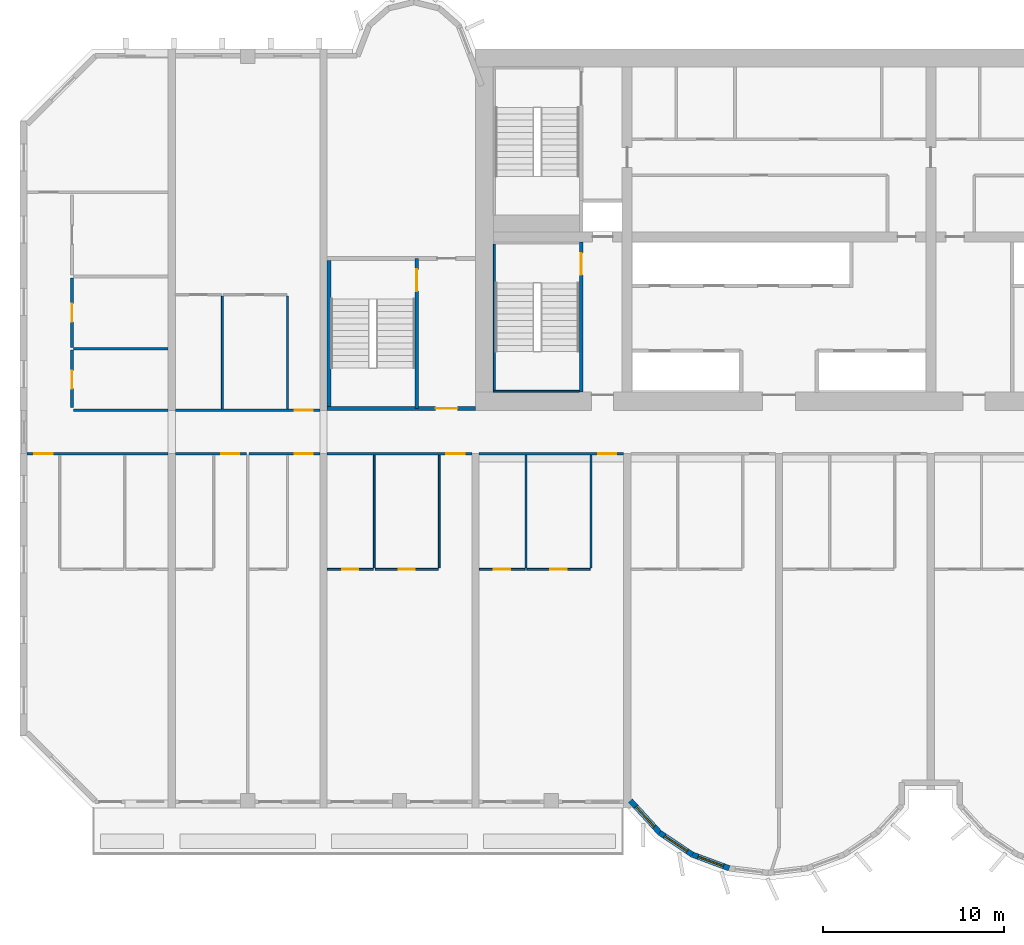
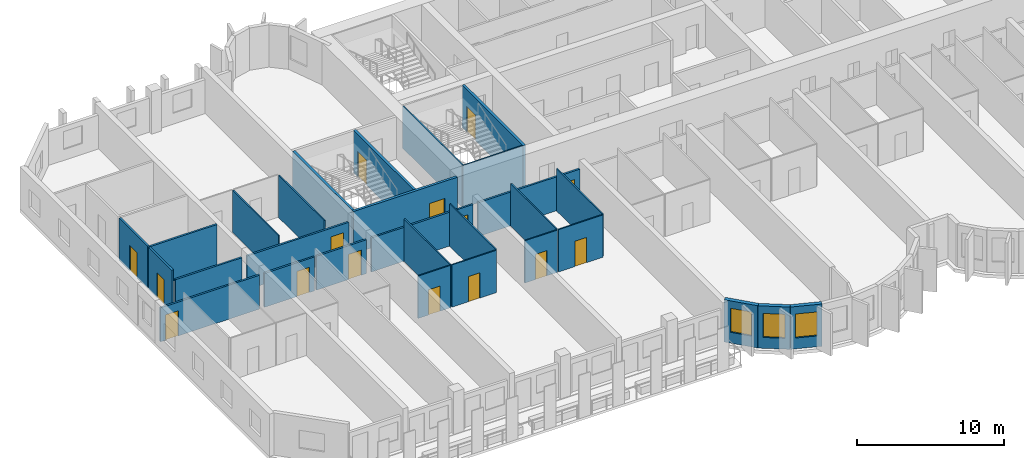
# One storey, part 3 of 15: 29 walls, 15 doors, 3 windows, 18 openings.
"""IFC4 building model written with IfcOpenShell, lengths in metres."""

import ifcopenshell
import ifcopenshell.guid

model = None  # the IFC model being written
_history = None  # IfcOwnerHistory: only IFC2X3 demands one
_inside = {}  # id of a spatial element -> (the spatial element, [elements in it])
_under = {}  # id of a project, library or spatial element -> (it, [spatial elements below it])
_declared = {}  # id of a project -> (the project, [libraries it declares])
_typed = {}  # id of a type object -> (the type object, [elements of that type])
_made_of = {}  # id of a material, layer set ... -> (it, [elements and type objects made of it])


def new_model(schema):
    """Start an empty IFC model of exactly this schema.

    Asked for "IFC4X3", IfcOpenShell would pick the latest addendum, in which some entities
    have other attributes; the version numbers below select the first issue.
    IFC2X3 requires an IfcOwnerHistory on every rooted entity: one is made here for all.
    """
    global model, _history
    if schema == "IFC4X3":
        model = ifcopenshell.file(schema_version=(4, 3, 0, 0))
    else:
        model = ifcopenshell.file(schema=schema)
    _inside.clear()
    _under.clear()
    _declared.clear()
    _typed.clear()
    _made_of.clear()
    _history = None
    if model.schema == "IFC2X3":
        org = make("IfcOrganization", Name="unknown")
        user = make(
            "IfcPersonAndOrganization",
            ThePerson=make("IfcPerson", FamilyName="unknown"),
            TheOrganization=org,
        )
        app = make(
            "IfcApplication",
            ApplicationDeveloper=org,
            Version="unknown",
            ApplicationFullName="unknown",
            ApplicationIdentifier="unknown",
        )
        _history = make(
            "IfcOwnerHistory",
            OwningUser=user,
            OwningApplication=app,
            ChangeAction="ADDED",
            CreationDate=0,
        )
    return model


def make(cls, **values):
    """One entity of the class cls with the attributes given. An attribute that is None is left unset."""
    return model.create_entity(
        cls, **{name: value for name, value in values.items() if value is not None}
    )


def rooted(cls, **values):
    """An entity with a GlobalId (a new one), such as an element, a storey or a relation."""
    return make(cls, GlobalId=ifcopenshell.guid.new(), OwnerHistory=_history, **values)


def si_unit(unit_type, name, prefix=None):
    """IfcSIUnit, for example si_unit("LENGTHUNIT", "METRE", prefix="MILLI")."""
    return make("IfcSIUnit", UnitType=unit_type, Prefix=prefix, Name=name)


def assignment(units):
    """IfcUnitAssignment: the units of a project."""
    return None if units is None else make("IfcUnitAssignment", Units=units)


def point(xyz):
    """IfcCartesianPoint."""
    return None if xyz is None else make("IfcCartesianPoint", Coordinates=xyz)


def direction(xyz):
    """IfcDirection."""
    return None if xyz is None else make("IfcDirection", DirectionRatios=xyz)


def frame(location, z_axis=None, x_axis=None):
    """IfcAxis2Placement3D, a coordinate frame: its origin and axes. An axis left out is left unset."""
    return make(
        "IfcAxis2Placement3D",
        Location=point(location),
        Axis=direction(z_axis),
        RefDirection=direction(x_axis),
    )


def frame_2d(location, x_axis=None):
    """IfcAxis2Placement2D, a coordinate frame in the plane: its origin and x axis."""
    return make(
        "IfcAxis2Placement2D", Location=point(location), RefDirection=direction(x_axis)
    )


def origin():
    """The frame at (0, 0, 0) with its axes left unset."""
    return frame((0.0, 0.0, 0.0))


def place(relative_to, where):
    """IfcLocalPlacement: puts the frame where relative to a parent placement (None: the world)."""
    return make(
        "IfcLocalPlacement", PlacementRelTo=relative_to, RelativePlacement=where
    )


def context(
    kind, dimensions, precision=None, world=None, true_north=None, identifier=None
):
    """IfcGeometricRepresentationContext, for example the 3D "Model" context."""
    return make(
        "IfcGeometricRepresentationContext",
        ContextIdentifier=identifier,
        ContextType=kind,
        CoordinateSpaceDimension=dimensions,
        Precision=precision,
        WorldCoordinateSystem=world,
        TrueNorth=true_north,
    )


def subcontext(parent, identifier, kind, view, scale=None):
    """IfcGeometricRepresentationSubContext, for example "Body" below "Model"."""
    return make(
        "IfcGeometricRepresentationSubContext",
        ContextIdentifier=identifier,
        ContextType=kind,
        ParentContext=parent,
        TargetScale=scale,
        TargetView=view,
    )


def project(units=None, contexts=None):
    """IfcProject with its units and contexts."""
    return rooted(
        "IfcProject",
        Name="project",
        RepresentationContexts=contexts,
        UnitsInContext=assignment(units),
    )


def spatial(cls, under=None, at=None, **own):
    """A site, building, storey or space (cls), placed at a placement, below another one or the project."""
    s = rooted(cls, ObjectPlacement=at, **own)
    if under is not None:
        _under.setdefault(under.id(), (under, []))[1].append(s)
    return s


def profile(cls, at=None, kind="AREA", **sizes):
    """A parametric profile (cls). Its sizes go by their IFC names, for example OverallWidth=200.0."""
    return make(cls, ProfileType=kind, Position=at, **sizes)


def rectangle(**sizes):
    """IfcRectangleProfileDef."""
    return profile("IfcRectangleProfileDef", **sizes)


def extrude(swept, where, along, depth):
    """IfcExtrudedAreaSolid: the profile swept, set in the frame where, extruded along a direction by depth."""
    return make(
        "IfcExtrudedAreaSolid",
        SweptArea=swept,
        Position=where,
        ExtrudedDirection=direction(along),
        Depth=depth,
    )


def shape(context_of_items, identifier, shape_type, items):
    """IfcShapeRepresentation: the items that make up one representation, for example the "Body"."""
    return make(
        "IfcShapeRepresentation",
        ContextOfItems=context_of_items,
        RepresentationIdentifier=identifier,
        RepresentationType=shape_type,
        Items=items,
    )


def source(mapping_origin, context_of_items, identifier, shape_type, items):
    """IfcRepresentationMap: a shape defined once, which mapped items show again and again."""
    return make(
        "IfcRepresentationMap",
        MappingOrigin=mapping_origin,
        MappedRepresentation=shape(context_of_items, identifier, shape_type, items),
    )


def transform(
    local_origin,
    x_axis=None,
    y_axis=None,
    z_axis=None,
    scale=None,
    scale2=None,
    scale3=None,
    uniform=True,
):
    """IfcCartesianTransformationOperator3D, or its non-uniform kind. x_axis, y_axis, z_axis: its Axis1, 2, 3."""
    if uniform:
        return make(
            "IfcCartesianTransformationOperator3D",
            Axis1=direction(x_axis),
            Axis2=direction(y_axis),
            LocalOrigin=point(local_origin),
            Scale=scale,
            Axis3=direction(z_axis),
        )
    return make(
        "IfcCartesianTransformationOperator3DnonUniform",
        Axis1=direction(x_axis),
        Axis2=direction(y_axis),
        LocalOrigin=point(local_origin),
        Scale=scale,
        Axis3=direction(z_axis),
        Scale2=scale2,
        Scale3=scale3,
    )


def mapped(mapping_source, mapping_target):
    """IfcMappedItem: shows the shape of a source again, moved by a transform."""
    return make(
        "IfcMappedItem", MappingSource=mapping_source, MappingTarget=mapping_target
    )


def material(Name=None, Category=None):
    """IfcMaterial."""
    return make("IfcMaterial", Name=Name, Category=Category)


def layer(
    of_material, thickness, ventilated=None, Name=None, Category=None, Priority=None
):
    """IfcMaterialLayer: one layer of a wall or slab, of a material (None: an air gap)."""
    return make(
        "IfcMaterialLayer",
        Material=of_material,
        LayerThickness=thickness,
        IsVentilated=ventilated,
        Name=Name,
        Category=Category,
        Priority=Priority,
    )


def layer_set(layers, Name=None):
    """IfcMaterialLayerSet."""
    return make("IfcMaterialLayerSet", MaterialLayers=layers, LayerSetName=Name)


def made_of(thing, what):
    """Note that an element or type object is made of a material, layer set ...; save() writes the relation."""
    if what is not None:
        _made_of.setdefault(what.id(), (what, []))[1].append(thing)
    return thing


def type_object(cls, material=None, **own):
    """A type object (cls), such as IfcWallType, which elements share."""
    return made_of(rooted(cls, **own), material)


def element(
    cls,
    number,
    at=None,
    inside=None,
    cuts=None,
    type_object=None,
    material=None,
    context=None,
    identifier="Body",
    shape_type=None,
    held_by="IfcProductDefinitionShape",
    body=None,
    shapes=None,
    **own,
):
    """One element of the class cls, such as IfcWall. Its Tag is "e" and its number.

    at: its placement. inside: the storey or other place that contains it. cuts: it is an
    opening in that element (IfcRelVoidsElement). A single representation is given by context,
    identifier, shape_type and body (its items); several are given by shapes. held_by: the class
    of the entity that holds the representations. save() writes the other relations.
    """
    e = rooted(cls, Tag="e%d" % number, ObjectPlacement=at, **own)
    if body is not None:
        shapes = [shape(context, identifier, shape_type, body)]
    if shapes is not None:
        e.Representation = make(held_by, Representations=shapes)
    if inside is not None:
        _inside.setdefault(inside.id(), (inside, []))[1].append(e)
    if cuts is not None:
        rooted(
            "IfcRelVoidsElement", RelatingBuildingElement=cuts, RelatedOpeningElement=e
        )
    if type_object is not None:
        _typed.setdefault(type_object.id(), (type_object, []))[1].append(e)
    return made_of(e, material)


def fill(opening, filler):
    """IfcRelFillsElement: the door or window that sits in an opening."""
    return rooted(
        "IfcRelFillsElement",
        RelatingOpeningElement=opening,
        RelatedBuildingElement=filler,
    )


def aggregate(whole, parts):
    """IfcRelAggregates: a whole, such as a stair, and the parts it consists of."""
    return rooted("IfcRelAggregates", RelatingObject=whole, RelatedObjects=parts)


def save(model, path):
    """Write the relations noted so far, then the file.

    IfcRelAggregates (storeys below a building ...), IfcRelContainedInSpatialStructure (elements
    in a storey), IfcRelDefinesByType, IfcRelAssociatesMaterial and IfcRelDeclares: one each for
    every whole, place, type object, material and project.
    """
    for whole, parts in _under.values():
        aggregate(whole, parts)
    for where, things in _inside.values():
        rooted(
            "IfcRelContainedInSpatialStructure",
            RelatedElements=things,
            RelatingStructure=where,
        )
    for kind, things in _typed.values():
        rooted("IfcRelDefinesByType", RelatedObjects=things, RelatingType=kind)
    for what, things in _made_of.values():
        rooted("IfcRelAssociatesMaterial", RelatedObjects=things, RelatingMaterial=what)
    for by, libraries in _declared.values():
        rooted("IfcRelDeclares", RelatingContext=by, RelatedDefinitions=libraries)
    model.write(path)


model = new_model("IFC4")

# Units and contexts
model_context = context("Model", 3, precision=1e-05, world=origin(), true_north=direction((0.0, 1.0)))
body_context = subcontext(model_context, "Body", "Model", "MODEL_VIEW")
ifc_project = project(units=[si_unit("LENGTHUNIT", "METRE"), si_unit("AREAUNIT", "SQUARE_METRE"), si_unit("VOLUMEUNIT", "CUBIC_METRE"), si_unit("PLANEANGLEUNIT", "RADIAN"), si_unit("MASSUNIT", "GRAM", prefix="KILO")], contexts=[model_context])

# Site, building, storey
site_placement = place(None, origin())
site = spatial("IfcSite", under=ifc_project, at=site_placement, CompositionType="ELEMENT")
building_placement = place(site_placement, origin())
building = spatial("IfcBuilding", under=site, at=building_placement, Name="Vanashikhar Sky Hotel", CompositionType="ELEMENT")
storey_placement = place(building_placement, frame((0.0, 0.0, 46.800048828125)))
storey = spatial("IfcBuildingStorey", under=building, at=storey_placement, Name="L10", CompositionType="ELEMENT", Elevation=46.800048828125)

# Wall, opening, window
ifc_material_1 = material(Name="Concrete M50", Category="concrete")
ifc_layer_1 = layer(ifc_material_1, 0.300048828125)
ifc_layer_set_1 = layer_set([ifc_layer_1], Name="Lobe wall 300")
wall_type_1 = type_object("IfcWallType", Name="Lobe wall 300", PredefinedType="SOLIDWALL", material=ifc_layer_set_1)
shared_shape_1 = source(origin(), body_context, "Body", "SweptSolid", [
    extrude(rectangle(XDim=2.398193359375, YDim=0.300048828125, at=frame_2d((1.19921875, 0.0))), origin(), (0.0, 0.0, 1.0), 3.52001953125),
])
wall_1_placement = place(storey_placement, frame((33.776123046875, 0.39990234375, 0.0), z_axis=(0.0, 0.0, 1.0), x_axis=(0.675374189419, -0.737475222815, 0.0)))
wall_1 = element("IfcWall", 1, at=wall_1_placement, inside=storey, type_object=wall_type_1, Name="Lobe wall", PredefinedType="SOLIDWALL", context=body_context, shape_type="MappedRepresentation", body=[
    mapped(shared_shape_1, transform((0.0, 0.0, 0.0), scale=1.0)),
])
shared_shape_2 = source(origin(), body_context, "Body", "SweptSolid", [
    extrude(rectangle(XDim=1.5, YDim=2.0, at=frame_2d((0.75, 1.0))), frame((0.0, 0.16015625, 0.0), z_axis=(0.0, -1.0, 0.0), x_axis=(1.0, 0.0, 0.0)), (0.0, 0.0, 1.0), 0.320068359375),
])
opening_1_placement = place(wall_1_placement, frame((0.44921875, 0.0, 0.89990234375)))
opening_1 = element("IfcOpeningElement", 2, at=opening_1_placement, cuts=wall_1, Name="Opening WN-2", PredefinedType="OPENING", context=body_context, shape_type="MappedRepresentation", body=[
    mapped(shared_shape_2, transform((0.0, 0.0, 0.0), scale=1.0)),
])
ifc_material_2 = material(Name="Glass", Category="glass")
window_type = type_object("IfcWindowType", Name="Lobe window 1500 x 2000", PartitioningType="SINGLE_PANEL", PredefinedType="WINDOW", material=ifc_material_2)
shared_shape_3 = source(origin(), body_context, "Body", "SweptSolid", [
    extrude(rectangle(XDim=1.5, YDim=2.0, at=frame_2d((0.75, 1.0))), frame((0.0, 0.030029296875, 0.0), z_axis=(0.0, -1.0, 0.0), x_axis=(1.0, 0.0, 0.0)), (0.0, 0.0, 1.0), 0.06005859375),
])
window_1_placement = place(opening_1_placement, origin())
window_1 = element("IfcWindow", 3, at=window_1_placement, inside=storey, type_object=window_type, Name="Window WN-2", OverallHeight=2.0, OverallWidth=1.5, PartitioningType="SINGLE_PANEL", PredefinedType="WINDOW", context=body_context, shape_type="MappedRepresentation", body=[
    mapped(shared_shape_3, transform((0.0, 0.0, 0.0), scale=1.0)),
])
fill(opening_1, window_1)

shared_shape_4 = source(origin(), body_context, "Body", "SweptSolid", [
    extrude(rectangle(XDim=2.17578125, YDim=0.300048828125, at=frame_2d((1.087890625, 0.0))), origin(), (0.0, 0.0, 1.0), 3.52001953125),
])
wall_2_placement = place(storey_placement, frame((35.395751953125, -1.36865234375, 0.0), z_axis=(0.0, 0.0, 1.0), x_axis=(0.829590746428, -0.558371913192, 0.0)))
wall_2 = element("IfcWall", 4, at=wall_2_placement, inside=storey, type_object=wall_type_1, Name="Lobe wall", PredefinedType="SOLIDWALL", context=body_context, shape_type="MappedRepresentation", body=[
    mapped(shared_shape_4, transform((0.0, 0.0, 0.0), scale=1.0)),
])
opening_2_placement = place(wall_2_placement, frame((0.337890625, 0.0, 0.89990234375)))
opening_2 = element("IfcOpeningElement", 5, at=opening_2_placement, cuts=wall_2, Name="Opening WN-2", PredefinedType="OPENING", context=body_context, shape_type="MappedRepresentation", body=[
    mapped(shared_shape_2, transform((0.0, 0.0, 0.0), scale=1.0)),
])
window_2_placement = place(opening_2_placement, origin())
window_2 = element("IfcWindow", 6, at=window_2_placement, inside=storey, type_object=window_type, Name="Window WN-2", OverallHeight=2.0, OverallWidth=1.5, PartitioningType="SINGLE_PANEL", PredefinedType="WINDOW", context=body_context, shape_type="MappedRepresentation", body=[
    mapped(shared_shape_3, transform((0.0, 0.0, 0.0), scale=1.0)),
])
fill(opening_2, window_2)

wall_3_placement = place(storey_placement, frame((37.20068359375, -2.58349609375, 0.0), z_axis=(0.0, 0.0, 1.0), x_axis=(0.93754555999, -0.347862505801, 0.0)))
wall_3 = element("IfcWall", 7, at=wall_3_placement, inside=storey, type_object=wall_type_1, Name="Lobe wall", PredefinedType="SOLIDWALL", context=body_context, shape_type="MappedRepresentation", body=[
    mapped(shared_shape_4, transform((0.0, 0.0, 0.0), scale=1.0)),
])
opening_3_placement = place(wall_3_placement, frame((0.337890625, 0.0, 0.89990234375)))
opening_3 = element("IfcOpeningElement", 8, at=opening_3_placement, cuts=wall_3, Name="Opening WN-2", PredefinedType="OPENING", context=body_context, shape_type="MappedRepresentation", body=[
    mapped(shared_shape_2, transform((0.0, 0.0, 0.0), scale=1.0)),
])
window_3_placement = place(opening_3_placement, origin())
window_3 = element("IfcWindow", 9, at=window_3_placement, inside=storey, type_object=window_type, Name="Window WN-2", OverallHeight=2.0, OverallWidth=1.5, PartitioningType="SINGLE_PANEL", PredefinedType="WINDOW", context=body_context, shape_type="MappedRepresentation", body=[
    mapped(shared_shape_3, transform((0.0, 0.0, 0.0), scale=1.0)),
])
fill(opening_3, window_3)

# Wall, opening, door
ifc_layer_2 = layer(ifc_material_1, 0.199951171875)
ifc_layer_set_2 = layer_set([ifc_layer_2], Name="Stair wall 200")
wall_type_2 = type_object("IfcWallType", Name="Stair wall 200", PredefinedType="SOLIDWALL", material=ifc_layer_set_2)
shared_shape_5 = source(origin(), body_context, "Body", "SweptSolid", [
    extrude(rectangle(XDim=8.199951171875, YDim=0.199951171875, at=frame_2d((4.10009765625, 0.0))), origin(), (0.0, 0.0, 1.0), 3.52001953125),
])
wall_4_placement = place(storey_placement, frame((17.0, 22.10009765625, 0.0), z_axis=(0.0, 0.0, 1.0), x_axis=(1.0, 0.0, 0.0)))
wall_4 = element("IfcWall", 10, at=wall_4_placement, inside=storey, type_object=wall_type_2, Name="Stair wall 200", PredefinedType="SOLIDWALL", context=body_context, shape_type="MappedRepresentation", body=[
    mapped(shared_shape_5, transform((0.0, 0.0, 0.0), scale=1.0)),
])
shared_shape_6 = source(origin(), body_context, "Body", "SweptSolid", [
    extrude(rectangle(XDim=1.199951171875, YDim=2.10009765625, at=frame_2d((0.60009765625, 1.050048828125))), frame((0.0, 0.10986328125, 0.0), z_axis=(0.0, -1.0, 0.0), x_axis=(1.0, 0.0, 0.0)), (0.0, 0.0, 1.0), 0.219970703125),
])
opening_4_placement = place(wall_4_placement, frame((6.0, 0.0, 0.0)))
opening_4 = element("IfcOpeningElement", 11, at=opening_4_placement, cuts=wall_4, Name="Opening DC-2", PredefinedType="OPENING", context=body_context, shape_type="MappedRepresentation", body=[
    mapped(shared_shape_6, transform((0.0, 0.0, 0.0), scale=1.0)),
])
ifc_material_3 = material(Name="Steel", Category="steel")
door_type_1 = type_object("IfcDoorType", Name="Firefighting lobby door 1200 FD120", OperationType="NOTDEFINED", PredefinedType="DOOR", material=ifc_material_3)
shared_shape_7 = source(origin(), body_context, "Body", "SweptSolid", [
    extrude(rectangle(XDim=1.199951171875, YDim=2.10009765625, at=frame_2d((0.60009765625, 1.050048828125))), frame((0.0, 0.02490234375, 0.0), z_axis=(0.0, -1.0, 0.0), x_axis=(1.0, 0.0, 0.0)), (0.0, 0.0, 1.0), 0.050048828125),
])
door_1_placement = place(opening_4_placement, origin())
door_1 = element("IfcDoor", 12, at=door_1_placement, inside=storey, type_object=door_type_1, Name="Firefighting lobby door 1200 FD120", OperationType="SINGLE_SWING_RIGHT", OverallHeight=2.10009765625, OverallWidth=1.199951171875, PredefinedType="DOOR", context=body_context, shape_type="MappedRepresentation", body=[
    mapped(shared_shape_7, transform((0.0, 0.0, 0.0), scale=1.0)),
])
fill(opening_4, door_1)

shared_shape_8 = source(origin(), body_context, "Body", "SweptSolid", [
    extrude(rectangle(XDim=8.2998046875, YDim=0.199951171875, at=frame_2d((4.14990234375, 0.0))), origin(), (0.0, 0.0, 1.0), 3.52001953125),
])
wall_5_placement = place(storey_placement, frame((21.949951171875, 22.10009765625, 0.0), z_axis=(0.0, 0.0, 1.0), x_axis=(0.0, 1.0, 0.0)))
wall_5 = element("IfcWall", 13, at=wall_5_placement, inside=storey, type_object=wall_type_2, Name="Stair wall 200", PredefinedType="SOLIDWALL", context=body_context, shape_type="MappedRepresentation", body=[
    mapped(shared_shape_8, transform((0.0, 0.0, 0.0), scale=1.0)),
])
opening_5_placement = place(wall_5_placement, frame((6.5, 0.0, 0.0)))
opening_5 = element("IfcOpeningElement", 14, at=opening_5_placement, cuts=wall_5, Name="Opening DC-1", PredefinedType="OPENING", context=body_context, shape_type="MappedRepresentation", body=[
    mapped(shared_shape_6, transform((0.0, 0.0, 0.0), scale=1.0)),
])
door_type_2 = type_object("IfcDoorType", Name="Stair door 1200 FD120", OperationType="NOTDEFINED", PredefinedType="DOOR", material=ifc_material_3)
door_2_placement = place(opening_5_placement, origin())
door_2 = element("IfcDoor", 15, at=door_2_placement, inside=storey, type_object=door_type_2, Name="Stair door 1200 FD120", OperationType="SINGLE_SWING_RIGHT", OverallHeight=2.10009765625, OverallWidth=1.199951171875, PredefinedType="DOOR", context=body_context, shape_type="MappedRepresentation", body=[
    mapped(shared_shape_7, transform((0.0, 0.0, 0.0), scale=1.0)),
])
fill(opening_5, door_2)

# Walls
ifc_layer_3 = layer(ifc_material_1, 0.10009765625)
ifc_layer_set_3 = layer_set([ifc_layer_3], Name="Stair infill wall 100")
wall_type_3 = type_object("IfcWallType", Name="Stair infill wall 100", PredefinedType="SOLIDWALL", material=ifc_layer_set_3)
shared_shape_9 = source(origin(), body_context, "Body", "SweptSolid", [
    extrude(rectangle(XDim=4.75, YDim=0.10009765625, at=frame_2d((2.375, 0.0))), origin(), (0.0, 0.0, 1.0), 3.52001953125),
])
wall_6_placement = place(storey_placement, frame((26.199951171875, 23.050048828125, 0.0), z_axis=(0.0, 0.0, 1.0), x_axis=(1.0, 0.0, 0.0)))
element("IfcWall", 16, at=wall_6_placement, inside=storey, type_object=wall_type_3, Name="Stair infill wall 100", PredefinedType="SOLIDWALL", context=body_context, shape_type="MappedRepresentation", body=[
    mapped(shared_shape_9, transform((0.0, 0.0, 0.0), scale=1.0)),
])
shared_shape_10 = source(origin(), body_context, "Body", "SweptSolid", [
    extrude(rectangle(XDim=8.099853515625, YDim=0.10009765625, at=frame_2d((4.0498046875, 0.0))), origin(), (0.0, 0.0, 1.0), 3.52001953125),
])
wall_7_placement = place(storey_placement, frame((26.25, 23.10009765625, 0.0), z_axis=(0.0, 0.0, 1.0), x_axis=(0.0, 1.0, 0.0)))
element("IfcWall", 17, at=wall_7_placement, inside=storey, type_object=wall_type_3, Name="Stair infill wall 100", PredefinedType="SOLIDWALL", context=body_context, shape_type="MappedRepresentation", body=[
    mapped(shared_shape_10, transform((0.0, 0.0, 0.0), scale=1.0)),
])

# Wall, opening, door
shared_shape_11 = source(origin(), body_context, "Body", "SweptSolid", [
    extrude(rectangle(XDim=8.324951171875, YDim=0.199951171875, at=frame_2d((4.16259765625, 0.0))), origin(), (0.0, 0.0, 1.0), 3.52001953125),
])
wall_8_placement = place(storey_placement, frame((31.050048828125, 23.0, 0.0), z_axis=(0.0, 0.0, 1.0), x_axis=(0.0, 1.0, 0.0)))
wall_8 = element("IfcWall", 18, at=wall_8_placement, inside=storey, type_object=wall_type_2, Name="Stair wall 200", PredefinedType="SOLIDWALL", context=body_context, shape_type="MappedRepresentation", body=[
    mapped(shared_shape_11, transform((0.0, 0.0, 0.0), scale=1.0)),
])
opening_6_placement = place(wall_8_placement, frame((6.5, 0.0, 0.0)))
opening_6 = element("IfcOpeningElement", 19, at=opening_6_placement, cuts=wall_8, Name="Opening DC-1", PredefinedType="OPENING", context=body_context, shape_type="MappedRepresentation", body=[
    mapped(shared_shape_6, transform((0.0, 0.0, 0.0), scale=1.0)),
])
door_3_placement = place(opening_6_placement, origin())
door_3 = element("IfcDoor", 20, at=door_3_placement, inside=storey, type_object=door_type_2, Name="Stair door 1200 FD120", OperationType="SINGLE_SWING_RIGHT", OverallHeight=2.10009765625, OverallWidth=1.199951171875, PredefinedType="DOOR", context=body_context, shape_type="MappedRepresentation", body=[
    mapped(shared_shape_7, transform((0.0, 0.0, 0.0), scale=1.0)),
])
fill(opening_6, door_3)

# Wall
ifc_layer_4 = layer(ifc_material_1, 0.199951171875)
ifc_layer_set_4 = layer_set([ifc_layer_4], Name="Stair infill wall 200")
wall_type_4 = type_object("IfcWallType", Name="Stair infill wall 200", PredefinedType="SOLIDWALL", material=ifc_layer_set_4)
shared_shape_12 = source(origin(), body_context, "Body", "SweptSolid", [
    extrude(rectangle(XDim=8.10009765625, YDim=0.199951171875, at=frame_2d((4.050048828125, 0.0))), origin(), (0.0, 0.0, 1.0), 3.52001953125),
])
wall_9_placement = place(storey_placement, frame((17.10009765625, 22.199951171875, 0.0), z_axis=(0.0, 0.0, 1.0), x_axis=(0.0, 1.0, 0.0)))
element("IfcWall", 21, at=wall_9_placement, inside=storey, type_object=wall_type_4, Name="Stair infill wall 200", PredefinedType="SOLIDWALL", context=body_context, shape_type="MappedRepresentation", body=[
    mapped(shared_shape_12, transform((0.0, 0.0, 0.0), scale=1.0)),
])

# Wall, opening, door
ifc_material_4 = material(Name="Gypsum plasterboard partition")
ifc_layer_5 = layer(ifc_material_4, 0.10009765625)
ifc_layer_set_5 = layer_set([ifc_layer_5], Name="Wet room partition 100")
wall_type_5 = type_object("IfcWallType", Name="Wet room partition 100", PredefinedType="PARTITIONING", material=ifc_layer_set_5)
shared_shape_13 = source(origin(), body_context, "Body", "SweptSolid", [
    extrude(rectangle(XDim=3.5, YDim=0.10009765625, at=frame_2d((1.75, 0.0))), origin(), (0.0, 0.0, 1.0), 3.52001953125),
])
wall_10_placement = place(storey_placement, frame((19.64990234375, 13.199951171875, 0.0), z_axis=(0.0, 0.0, 1.0), x_axis=(1.0, 0.0, 0.0)))
wall_10 = element("IfcWall", 22, at=wall_10_placement, inside=storey, type_object=wall_type_5, Name="W-L10-PW015", PredefinedType="PARTITIONING", context=body_context, shape_type="MappedRepresentation", body=[
    mapped(shared_shape_13, transform((0.0, 0.0, 0.0), scale=1.0)),
])
shared_shape_14 = source(origin(), body_context, "Body", "SweptSolid", [
    extrude(rectangle(XDim=0.89990234375, YDim=2.10009765625, at=frame_2d((0.449951171875, 1.050048828125))), frame((0.0, 0.06005859375, 0.0), z_axis=(0.0, -1.0, 0.0), x_axis=(1.0, 0.0, 0.0)), (0.0, 0.0, 1.0), 0.1201171875),
])
opening_7_placement = place(wall_10_placement, frame((1.300048828125, 0.0, 0.0)))
opening_7 = element("IfcOpeningElement", 23, at=opening_7_placement, cuts=wall_10, Name="Opening D-02", PredefinedType="OPENING", context=body_context, shape_type="MappedRepresentation", body=[
    mapped(shared_shape_14, transform((0.0, 0.0, 0.0), scale=1.0)),
])
ifc_material_5 = material(Name="Timber door", Category="wood")
door_type_3 = type_object("IfcDoorType", Name="Internal door 900", OperationType="NOTDEFINED", PredefinedType="DOOR", material=ifc_material_5)
shared_shape_15 = source(origin(), body_context, "Body", "SweptSolid", [
    extrude(rectangle(XDim=0.89990234375, YDim=2.10009765625, at=frame_2d((0.449951171875, 1.050048828125))), frame((0.0, 0.02490234375, 0.0), z_axis=(0.0, -1.0, 0.0), x_axis=(1.0, 0.0, 0.0)), (0.0, 0.0, 1.0), 0.050048828125),
])
door_4_placement = place(opening_7_placement, origin())
door_4 = element("IfcDoor", 24, at=door_4_placement, inside=storey, type_object=door_type_3, Name="D-L10-008", OperationType="SINGLE_SWING_RIGHT", OverallHeight=2.10009765625, OverallWidth=0.89990234375, PredefinedType="DOOR", context=body_context, shape_type="MappedRepresentation", body=[
    mapped(shared_shape_15, transform((0.0, 0.0, 0.0), scale=1.0)),
])
fill(opening_7, door_4)

wall_11_placement = place(storey_placement, frame((28.050048828125, 13.199951171875, 0.0), z_axis=(0.0, 0.0, 1.0), x_axis=(1.0, 0.0, 0.0)))
wall_11 = element("IfcWall", 25, at=wall_11_placement, inside=storey, type_object=wall_type_5, Name="W-L10-PW020", PredefinedType="PARTITIONING", context=body_context, shape_type="MappedRepresentation", body=[
    mapped(shared_shape_13, transform((0.0, 0.0, 0.0), scale=1.0)),
])
opening_8_placement = place(wall_11_placement, frame((1.300048828125, 0.0, 0.0)))
opening_8 = element("IfcOpeningElement", 26, at=opening_8_placement, cuts=wall_11, Name="Opening D-02", PredefinedType="OPENING", context=body_context, shape_type="MappedRepresentation", body=[
    mapped(shared_shape_14, transform((0.0, 0.0, 0.0), scale=1.0)),
])
door_5_placement = place(opening_8_placement, origin())
door_5 = element("IfcDoor", 27, at=door_5_placement, inside=storey, type_object=door_type_3, Name="D-L10-011", OperationType="SINGLE_SWING_RIGHT", OverallHeight=2.10009765625, OverallWidth=0.89990234375, PredefinedType="DOOR", context=body_context, shape_type="MappedRepresentation", body=[
    mapped(shared_shape_15, transform((0.0, 0.0, 0.0), scale=1.0)),
])
fill(opening_8, door_5)

# Walls
shared_shape_16 = source(origin(), body_context, "Body", "SweptSolid", [
    extrude(rectangle(XDim=6.25, YDim=0.10009765625, at=frame_2d((3.125, 0.0))), origin(), (0.0, 0.0, 1.0), 3.52001953125),
])
for number, where, z_axis, x_axis, name in (
    (28, (23.199951171875, 13.27490234375, 0.0), (0.0, 0.0, 1.0), (0.0, 1.0, 0.0), "W-L10-PW013"),
    (29, (19.60009765625, 13.27490234375, 0.0), (0.0, 0.0, 1.0), (0.0, 1.0, 0.0), "W-L10-PW014"),
    (30, (31.60009765625, 13.27490234375, 0.0), (0.0, 0.0, 1.0), (0.0, 1.0, 0.0), "W-L10-PW018"),
    (31, (28.0, 13.27490234375, 0.0), (0.0, 0.0, 1.0), (0.0, 1.0, 0.0), "W-L10-PW019"),
    (32, (14.800048828125, 22.074951171875, 0.0), (0.0, 0.0, 1.0), (0.0, 1.0, 0.0), "W-L10-PW077"),
    (33, (11.199951171875, 22.074951171875, 0.0), (0.0, 0.0, 1.0), (0.0, 1.0, 0.0), "W-L10-PW078"),
):
    element("IfcWall", number, at=place(storey_placement, frame(where, z_axis=z_axis, x_axis=x_axis)), inside=storey, type_object=wall_type_5, Name=name, PredefinedType="PARTITIONING", context=body_context, shape_type="MappedRepresentation", body=[
        mapped(shared_shape_16, transform((0.0, 0.0, 0.0), scale=1.0)),
    ])

# Wall, opening, door
ifc_layer_6 = layer(ifc_material_4, 0.14990234375)
ifc_layer_set_6 = layer_set([ifc_layer_6], Name="Corridor and demising partition 150")
wall_type_6 = type_object("IfcWallType", Name="Corridor and demising partition 150", PredefinedType="PARTITIONING", material=ifc_layer_set_6)
shared_shape_17 = source(origin(), body_context, "Body", "SweptSolid", [
    extrude(rectangle(XDim=3.175048828125, YDim=0.14990234375, at=frame_2d((1.58740234375, 0.0))), origin(), (0.0, 0.0, 1.0), 3.52001953125),
])
wall_12_placement = place(storey_placement, frame((2.875, 22.14990234375, 0.0), z_axis=(0.0, 0.0, 1.0), x_axis=(0.0, 1.0, 0.0)))
wall_12 = element("IfcWall", 34, at=wall_12_placement, inside=storey, type_object=wall_type_6, Name="W-L10-PW071", PredefinedType="PARTITIONING", context=body_context, shape_type="MappedRepresentation", body=[
    mapped(shared_shape_17, transform((0.0, 0.0, 0.0), scale=1.0)),
])
shared_shape_18 = source(origin(), body_context, "Body", "SweptSolid", [
    extrude(rectangle(XDim=1.0, YDim=2.10009765625, at=frame_2d((0.5, 1.050048828125))), frame((0.0, 0.0849609375, 0.0), z_axis=(0.0, -1.0, 0.0), x_axis=(1.0, 0.0, 0.0)), (0.0, 0.0, 1.0), 0.169921875),
])
opening_9_placement = place(wall_12_placement, frame((1.050048828125, 0.0, 0.0)))
opening_9 = element("IfcOpeningElement", 35, at=opening_9_placement, cuts=wall_12, Name="Opening D-01", PredefinedType="OPENING", context=body_context, shape_type="MappedRepresentation", body=[
    mapped(shared_shape_18, transform((0.0, 0.0, 0.0), scale=1.0)),
])
ifc_material_6 = material(Name="Timber fire door", Category="wood")
door_type_4 = type_object("IfcDoorType", Name="Guest entry door 1000 FD30S", OperationType="NOTDEFINED", PredefinedType="DOOR", material=ifc_material_6)
shared_shape_19 = source(origin(), body_context, "Body", "SweptSolid", [
    extrude(rectangle(XDim=1.0, YDim=2.10009765625, at=frame_2d((0.5, 1.050048828125))), frame((0.0, 0.02490234375, 0.0), z_axis=(0.0, -1.0, 0.0), x_axis=(1.0, 0.0, 0.0)), (0.0, 0.0, 1.0), 0.050048828125),
])
door_6_placement = place(opening_9_placement, origin())
door_6 = element("IfcDoor", 36, at=door_6_placement, inside=storey, type_object=door_type_4, Name="D-L10-041", OperationType="SINGLE_SWING_LEFT", OverallHeight=2.10009765625, OverallWidth=1.0, PredefinedType="DOOR", context=body_context, shape_type="MappedRepresentation", body=[
    mapped(shared_shape_19, transform((0.0, 0.0, 0.0), scale=1.0)),
])
fill(opening_9, door_6)

shared_shape_20 = source(origin(), body_context, "Body", "SweptSolid", [
    extrude(rectangle(XDim=3.849853515625, YDim=0.14990234375, at=frame_2d((1.9248046875, 0.0))), origin(), (0.0, 0.0, 1.0), 3.52001953125),
])
wall_13_placement = place(storey_placement, frame((2.875, 25.47509765625, 0.0), z_axis=(0.0, 0.0, 1.0), x_axis=(0.0, 1.0, 0.0)))
wall_13 = element("IfcWall", 37, at=wall_13_placement, inside=storey, type_object=wall_type_6, Name="W-L10-PW073", PredefinedType="PARTITIONING", context=body_context, shape_type="MappedRepresentation", body=[
    mapped(shared_shape_20, transform((0.0, 0.0, 0.0), scale=1.0)),
])
opening_10_placement = place(wall_13_placement, frame((1.425048828125, 0.0, 0.0)))
opening_10 = element("IfcOpeningElement", 38, at=opening_10_placement, cuts=wall_13, Name="Opening D-01", PredefinedType="OPENING", context=body_context, shape_type="MappedRepresentation", body=[
    mapped(shared_shape_18, transform((0.0, 0.0, 0.0), scale=1.0)),
])
door_7_placement = place(opening_10_placement, origin())
door_7 = element("IfcDoor", 39, at=door_7_placement, inside=storey, type_object=door_type_4, Name="D-L10-042", OperationType="SINGLE_SWING_LEFT", OverallHeight=2.10009765625, OverallWidth=1.0, PredefinedType="DOOR", context=body_context, shape_type="MappedRepresentation", body=[
    mapped(shared_shape_19, transform((0.0, 0.0, 0.0), scale=1.0)),
])
fill(opening_10, door_7)

shared_shape_21 = source(origin(), body_context, "Body", "SweptSolid", [
    extrude(rectangle(XDim=7.800048828125, YDim=0.14990234375, at=frame_2d((3.89990234375, 0.0))), origin(), (0.0, 0.0, 1.0), 2.820068359375),
])
wall_14_placement = place(storey_placement, frame((0.39990234375, 19.60009765625, 0.0), z_axis=(0.0, 0.0, 1.0), x_axis=(1.0, 0.0, 0.0)))
wall_14 = element("IfcWall", 40, at=wall_14_placement, inside=storey, type_object=wall_type_6, Name="W-L10-PW005", PredefinedType="PARTITIONING", context=body_context, shape_type="MappedRepresentation", body=[
    mapped(shared_shape_21, transform((0.0, 0.0, 0.0), scale=1.0)),
])
opening_11_placement = place(wall_14_placement, frame((0.39990234375, 0.0, 0.0)))
opening_11 = element("IfcOpeningElement", 41, at=opening_11_placement, cuts=wall_14, Name="Opening D-01", PredefinedType="OPENING", context=body_context, shape_type="MappedRepresentation", body=[
    mapped(shared_shape_18, transform((0.0, 0.0, 0.0), scale=1.0)),
])
door_8_placement = place(opening_11_placement, origin())
door_8 = element("IfcDoor", 42, at=door_8_placement, inside=storey, type_object=door_type_4, Name="D-L10-003", OperationType="SINGLE_SWING_LEFT", OverallHeight=2.10009765625, OverallWidth=1.0, PredefinedType="DOOR", context=body_context, shape_type="MappedRepresentation", body=[
    mapped(shared_shape_19, transform((0.0, 0.0, 0.0), scale=1.0)),
])
fill(opening_11, door_8)

shared_shape_22 = source(origin(), body_context, "Body", "SweptSolid", [
    extrude(rectangle(XDim=3.9248046875, YDim=0.14990234375, at=frame_2d((1.96240234375, 0.0))), origin(), (0.0, 0.0, 1.0), 2.820068359375),
])
wall_15_placement = place(storey_placement, frame((8.60009765625, 19.60009765625, 0.0), z_axis=(0.0, 0.0, 1.0), x_axis=(1.0, 0.0, 0.0)))
wall_15 = element("IfcWall", 43, at=wall_15_placement, inside=storey, type_object=wall_type_6, Name="W-L10-PW008", PredefinedType="PARTITIONING", context=body_context, shape_type="MappedRepresentation", body=[
    mapped(shared_shape_22, transform((0.0, 0.0, 0.0), scale=1.0)),
])
opening_12_placement = place(wall_15_placement, frame((2.52490234375, 0.0, 0.0)))
opening_12 = element("IfcOpeningElement", 44, at=opening_12_placement, cuts=wall_15, Name="Opening D-01", PredefinedType="OPENING", context=body_context, shape_type="MappedRepresentation", body=[
    mapped(shared_shape_18, transform((0.0, 0.0, 0.0), scale=1.0)),
])
door_9_placement = place(opening_12_placement, origin())
door_9 = element("IfcDoor", 45, at=door_9_placement, inside=storey, type_object=door_type_4, Name="D-L10-005", OperationType="SINGLE_SWING_RIGHT", OverallHeight=2.10009765625, OverallWidth=1.0, PredefinedType="DOOR", context=body_context, shape_type="MappedRepresentation", body=[
    mapped(shared_shape_19, transform((0.0, 0.0, 0.0), scale=1.0)),
])
fill(opening_12, door_9)

shared_shape_23 = source(origin(), body_context, "Body", "SweptSolid", [
    extrude(rectangle(XDim=3.925048828125, YDim=0.14990234375, at=frame_2d((1.96240234375, 0.0))), origin(), (0.0, 0.0, 1.0), 2.820068359375),
])
wall_16_placement = place(storey_placement, frame((12.675048828125, 19.60009765625, 0.0), z_axis=(0.0, 0.0, 1.0), x_axis=(1.0, 0.0, 0.0)))
wall_16 = element("IfcWall", 46, at=wall_16_placement, inside=storey, type_object=wall_type_6, Name="W-L10-PW011", PredefinedType="PARTITIONING", context=body_context, shape_type="MappedRepresentation", body=[
    mapped(shared_shape_23, transform((0.0, 0.0, 0.0), scale=1.0)),
])
opening_13_placement = place(wall_16_placement, frame((2.52490234375, 0.0, 0.0)))
opening_13 = element("IfcOpeningElement", 47, at=opening_13_placement, cuts=wall_16, Name="Opening D-01", PredefinedType="OPENING", context=body_context, shape_type="MappedRepresentation", body=[
    mapped(shared_shape_18, transform((0.0, 0.0, 0.0), scale=1.0)),
])
door_10_placement = place(opening_13_placement, origin())
door_10 = element("IfcDoor", 48, at=door_10_placement, inside=storey, type_object=door_type_4, Name="D-L10-007", OperationType="SINGLE_SWING_RIGHT", OverallHeight=2.10009765625, OverallWidth=1.0, PredefinedType="DOOR", context=body_context, shape_type="MappedRepresentation", body=[
    mapped(shared_shape_19, transform((0.0, 0.0, 0.0), scale=1.0)),
])
fill(opening_13, door_10)

shared_shape_24 = source(origin(), body_context, "Body", "SweptSolid", [
    extrude(rectangle(XDim=2.550048828125, YDim=0.10009765625, at=frame_2d((1.27490234375, 0.0))), origin(), (0.0, 0.0, 1.0), 3.52001953125),
])
wall_17_placement = place(storey_placement, frame((17.0, 13.199951171875, 0.0), z_axis=(0.0, 0.0, 1.0), x_axis=(1.0, 0.0, 0.0)))
wall_17 = element("IfcWall", 49, at=wall_17_placement, inside=storey, type_object=wall_type_5, Name="W-L10-PW016", PredefinedType="PARTITIONING", context=body_context, shape_type="MappedRepresentation", body=[
    mapped(shared_shape_24, transform((0.0, 0.0, 0.0), scale=1.0)),
])
opening_14_placement = place(wall_17_placement, frame((0.824951171875, 0.0, 0.0)))
opening_14 = element("IfcOpeningElement", 50, at=opening_14_placement, cuts=wall_17, Name="Opening D-02", PredefinedType="OPENING", context=body_context, shape_type="MappedRepresentation", body=[
    mapped(shared_shape_14, transform((0.0, 0.0, 0.0), scale=1.0)),
])
door_11_placement = place(opening_14_placement, origin())
door_11 = element("IfcDoor", 51, at=door_11_placement, inside=storey, type_object=door_type_3, Name="D-L10-009", OperationType="SINGLE_SWING_RIGHT", OverallHeight=2.10009765625, OverallWidth=0.89990234375, PredefinedType="DOOR", context=body_context, shape_type="MappedRepresentation", body=[
    mapped(shared_shape_15, transform((0.0, 0.0, 0.0), scale=1.0)),
])
fill(opening_14, door_11)

wall_18_placement = place(storey_placement, frame((25.39990234375, 13.199951171875, 0.0), z_axis=(0.0, 0.0, 1.0), x_axis=(1.0, 0.0, 0.0)))
wall_18 = element("IfcWall", 52, at=wall_18_placement, inside=storey, type_object=wall_type_5, Name="W-L10-PW021", PredefinedType="PARTITIONING", context=body_context, shape_type="MappedRepresentation", body=[
    mapped(shared_shape_24, transform((0.0, 0.0, 0.0), scale=1.0)),
])
opening_15_placement = place(wall_18_placement, frame((0.824951171875, 0.0, 0.0)))
opening_15 = element("IfcOpeningElement", 53, at=opening_15_placement, cuts=wall_18, Name="Opening D-02", PredefinedType="OPENING", context=body_context, shape_type="MappedRepresentation", body=[
    mapped(shared_shape_14, transform((0.0, 0.0, 0.0), scale=1.0)),
])
door_12_placement = place(opening_15_placement, origin())
door_12 = element("IfcDoor", 54, at=door_12_placement, inside=storey, type_object=door_type_3, Name="D-L10-012", OperationType="SINGLE_SWING_RIGHT", OverallHeight=2.10009765625, OverallWidth=0.89990234375, PredefinedType="DOOR", context=body_context, shape_type="MappedRepresentation", body=[
    mapped(shared_shape_15, transform((0.0, 0.0, 0.0), scale=1.0)),
])
fill(opening_15, door_12)

shared_shape_25 = source(origin(), body_context, "Body", "SweptSolid", [
    extrude(rectangle(XDim=8.0, YDim=0.14990234375, at=frame_2d((4.0, 0.0))), origin(), (0.0, 0.0, 1.0), 2.820068359375),
])
wall_19_placement = place(storey_placement, frame((17.0, 19.60009765625, 0.0), z_axis=(0.0, 0.0, 1.0), x_axis=(1.0, 0.0, 0.0)))
wall_19 = element("IfcWall", 55, at=wall_19_placement, inside=storey, type_object=wall_type_6, Name="W-L10-PW017", PredefinedType="PARTITIONING", context=body_context, shape_type="MappedRepresentation", body=[
    mapped(shared_shape_25, transform((0.0, 0.0, 0.0), scale=1.0)),
])
opening_16_placement = place(wall_19_placement, frame((6.60009765625, 0.0, 0.0)))
opening_16 = element("IfcOpeningElement", 56, at=opening_16_placement, cuts=wall_19, Name="Opening D-01", PredefinedType="OPENING", context=body_context, shape_type="MappedRepresentation", body=[
    mapped(shared_shape_18, transform((0.0, 0.0, 0.0), scale=1.0)),
])
door_13_placement = place(opening_16_placement, origin())
door_13 = element("IfcDoor", 57, at=door_13_placement, inside=storey, type_object=door_type_4, Name="D-L10-010", OperationType="SINGLE_SWING_RIGHT", OverallHeight=2.10009765625, OverallWidth=1.0, PredefinedType="DOOR", context=body_context, shape_type="MappedRepresentation", body=[
    mapped(shared_shape_19, transform((0.0, 0.0, 0.0), scale=1.0)),
])
fill(opening_16, door_13)

wall_20_placement = place(storey_placement, frame((25.39990234375, 19.60009765625, 0.0), z_axis=(0.0, 0.0, 1.0), x_axis=(1.0, 0.0, 0.0)))
wall_20 = element("IfcWall", 58, at=wall_20_placement, inside=storey, type_object=wall_type_6, Name="W-L10-PW022", PredefinedType="PARTITIONING", context=body_context, shape_type="MappedRepresentation", body=[
    mapped(shared_shape_25, transform((0.0, 0.0, 0.0), scale=1.0)),
])
opening_17_placement = place(wall_20_placement, frame((6.60009765625, 0.0, 0.0)))
opening_17 = element("IfcOpeningElement", 59, at=opening_17_placement, cuts=wall_20, Name="Opening D-01", PredefinedType="OPENING", context=body_context, shape_type="MappedRepresentation", body=[
    mapped(shared_shape_18, transform((0.0, 0.0, 0.0), scale=1.0)),
])
door_14_placement = place(opening_17_placement, origin())
door_14 = element("IfcDoor", 60, at=door_14_placement, inside=storey, type_object=door_type_4, Name="D-L10-013", OperationType="SINGLE_SWING_RIGHT", OverallHeight=2.10009765625, OverallWidth=1.0, PredefinedType="DOOR", context=body_context, shape_type="MappedRepresentation", body=[
    mapped(shared_shape_19, transform((0.0, 0.0, 0.0), scale=1.0)),
])
fill(opening_17, door_14)

wall_21_placement = place(storey_placement, frame((8.60009765625, 22.0, 0.0), z_axis=(0.0, 0.0, 1.0), x_axis=(1.0, 0.0, 0.0)))
wall_21 = element("IfcWall", 61, at=wall_21_placement, inside=storey, type_object=wall_type_6, Name="W-L10-PW081", PredefinedType="PARTITIONING", context=body_context, shape_type="MappedRepresentation", body=[
    mapped(shared_shape_25, transform((0.0, 0.0, 0.0), scale=1.0)),
])
opening_18_placement = place(wall_21_placement, frame((6.60009765625, 0.0, 0.0)))
opening_18 = element("IfcOpeningElement", 62, at=opening_18_placement, cuts=wall_21, Name="Opening D-01", PredefinedType="OPENING", context=body_context, shape_type="MappedRepresentation", body=[
    mapped(shared_shape_18, transform((0.0, 0.0, 0.0), scale=1.0)),
])
door_15_placement = place(opening_18_placement, origin())
door_15 = element("IfcDoor", 63, at=door_15_placement, inside=storey, type_object=door_type_4, Name="D-L10-047", OperationType="SINGLE_SWING_RIGHT", OverallHeight=2.10009765625, OverallWidth=1.0, PredefinedType="DOOR", context=body_context, shape_type="MappedRepresentation", body=[
    mapped(shared_shape_19, transform((0.0, 0.0, 0.0), scale=1.0)),
])
fill(opening_18, door_15)

# Walls
shared_shape_26 = source(origin(), body_context, "Body", "SweptSolid", [
    extrude(rectangle(XDim=5.25, YDim=0.14990234375, at=frame_2d((2.625, 0.0))), origin(), (0.0, 0.0, 1.0), 2.820068359375),
])
wall_22_placement = place(storey_placement, frame((2.949951171875, 22.0, 0.0), z_axis=(0.0, 0.0, 1.0), x_axis=(1.0, 0.0, 0.0)))
element("IfcWall", 64, at=wall_22_placement, inside=storey, type_object=wall_type_6, Name="W-L10-PW070", PredefinedType="PARTITIONING", context=body_context, shape_type="MappedRepresentation", body=[
    mapped(shared_shape_26, transform((0.0, 0.0, 0.0), scale=1.0)),
])
shared_shape_27 = source(origin(), body_context, "Body", "SweptSolid", [
    extrude(rectangle(XDim=5.25, YDim=0.14990234375, at=frame_2d((2.625, 0.0))), origin(), (0.0, 0.0, 1.0), 3.52001953125),
])
wall_23_placement = place(storey_placement, frame((2.949951171875, 25.39990234375, 0.0), z_axis=(0.0, 0.0, 1.0), x_axis=(1.0, 0.0, 0.0)))
element("IfcWall", 65, at=wall_23_placement, inside=storey, type_object=wall_type_6, Name="W-L10-PW072", PredefinedType="PARTITIONING", context=body_context, shape_type="MappedRepresentation", body=[
    mapped(shared_shape_27, transform((0.0, 0.0, 0.0), scale=1.0)),
])

save(model, "model.ifc")
